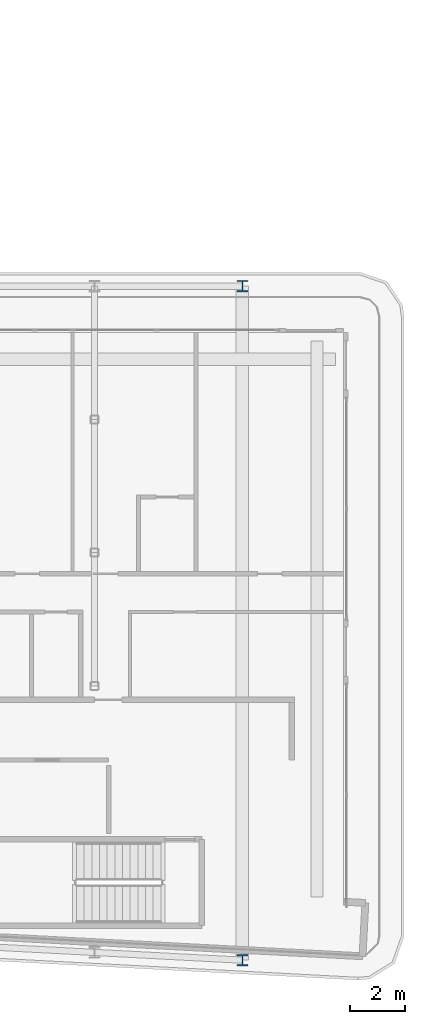
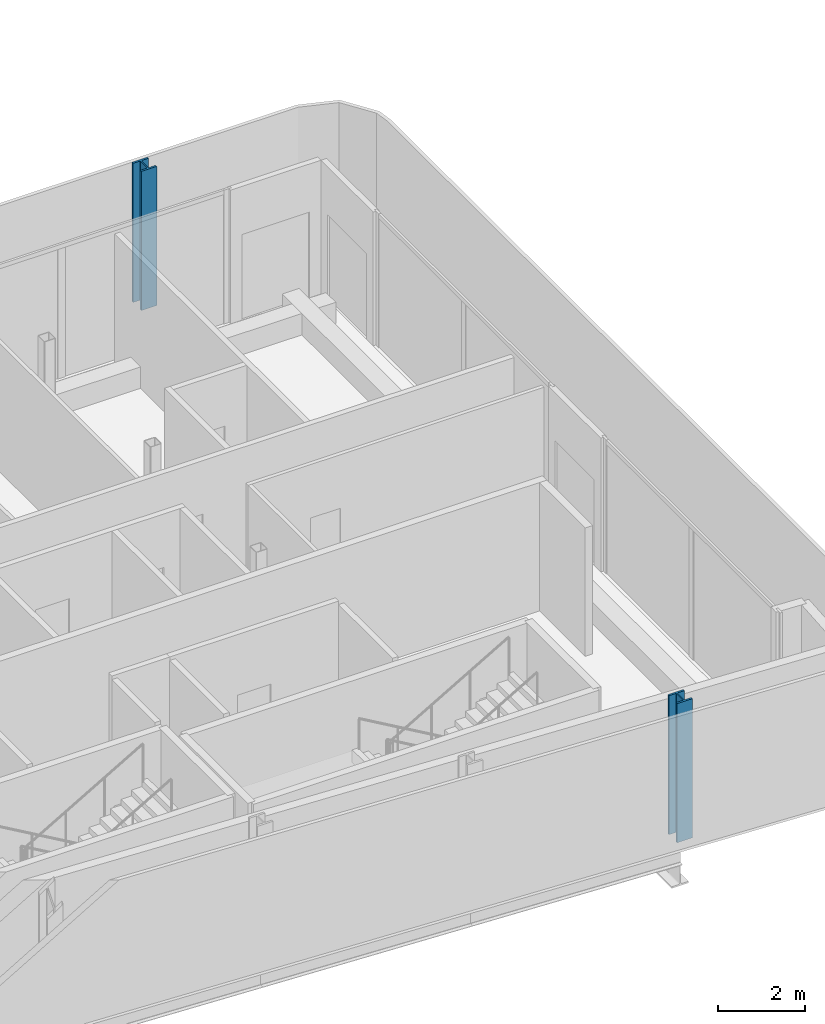
# One storey, part 4 of 30: 2 columns.
"""IFC4 building model written with IfcOpenShell, lengths in metres."""

from ifc_helpers import new_model, si_unit, direction, frame, origin, origin_2d, place, context, subcontext, project, spatial, i_section, extrude, material, material_profile, profile_set, type_object, element, save


model = new_model("IFC4")

# Units and contexts
model_context = context("Model", 3, precision=1e-05, world=origin(), true_north=direction((0.0, 1.0)))
body_context = subcontext(model_context, "Body", "Model", "MODEL_VIEW")
ifc_project = project(units=[si_unit("LENGTHUNIT", "METRE"), si_unit("AREAUNIT", "SQUARE_METRE"), si_unit("VOLUMEUNIT", "CUBIC_METRE"), si_unit("PLANEANGLEUNIT", "RADIAN"), si_unit("MASSUNIT", "GRAM", prefix="KILO")], contexts=[model_context])

# Site, building, storey
site_placement = place(None, origin())
site = spatial("IfcSite", under=ifc_project, at=site_placement, CompositionType="ELEMENT")
building_placement = place(site_placement, origin())
building = spatial("IfcBuilding", under=site, at=building_placement, Name="Kheshtan School and Residences Tower", CompositionType="ELEMENT")
storey_placement = place(building_placement, frame((0.0, 0.0, 164.300048828125)))
storey = spatial("IfcBuildingStorey", under=building, at=storey_placement, Name="L38", CompositionType="ELEMENT", Elevation=164.300048828125)

# Columns
ifc_material = material(Name="Steel ASTM A992 Grade 50", Category="steel")
ifc_material_profile = material_profile(ifc_material, i_section(OverallWidth=0.408935546875, OverallDepth=0.425048828125, WebThickness=0.03271484375, FlangeThickness=0.052490234375, FilletRadius=0.0126953125, at=origin_2d()), Name="W360x421")
ifc_profile_set = profile_set([ifc_material_profile], Name="Steel ASTM A992 Grade 50")
column_type = type_object("IfcColumnType", Name="Column C3 W360x421 ASTM A992 Grade 50", PredefinedType="COLUMN", material=ifc_profile_set)
for number, where, z_axis, x_axis, name in (
    (1, (90.800048828125, 20.989990234375, 0.0), (0.0, 0.0, 1.0), (1.0, 0.0, 0.0), "Column C006"),
    (2, (90.800048828125, 45.60009765625, 0.0), (0.0, 0.0, 1.0), (1.0, 0.0, 0.0), "Column C068"),
):
    element("IfcColumn", number, at=place(storey_placement, frame(where, z_axis=z_axis, x_axis=x_axis)), inside=storey, type_object=column_type, Name=name, PredefinedType="COLUMN", context=body_context, shape_type="SweptSolid", body=[
        extrude(i_section(OverallWidth=0.408935546875, OverallDepth=0.425048828125, WebThickness=0.03271484375, FlangeThickness=0.052490234375, FilletRadius=0.0126953125, at=origin_2d()), origin(), (0.0, 0.0, 1.0), 3.89990234375),
    ])

save(model, "model.ifc")
